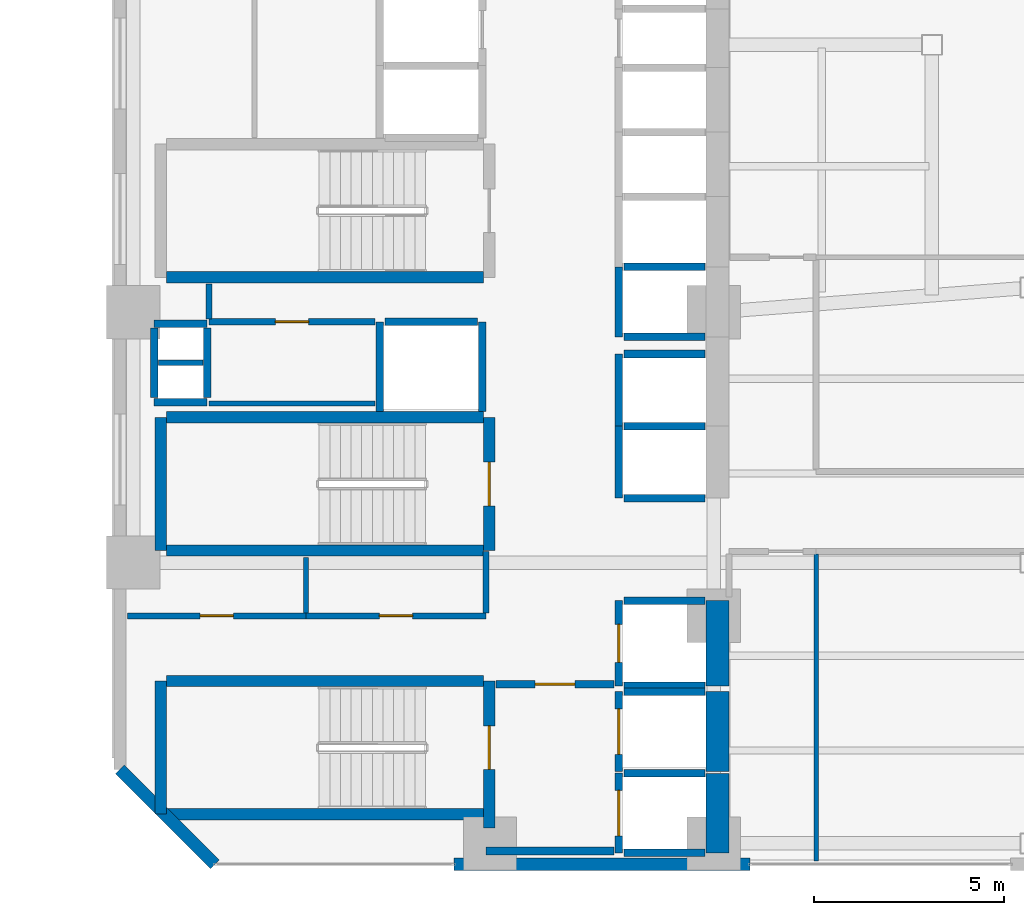
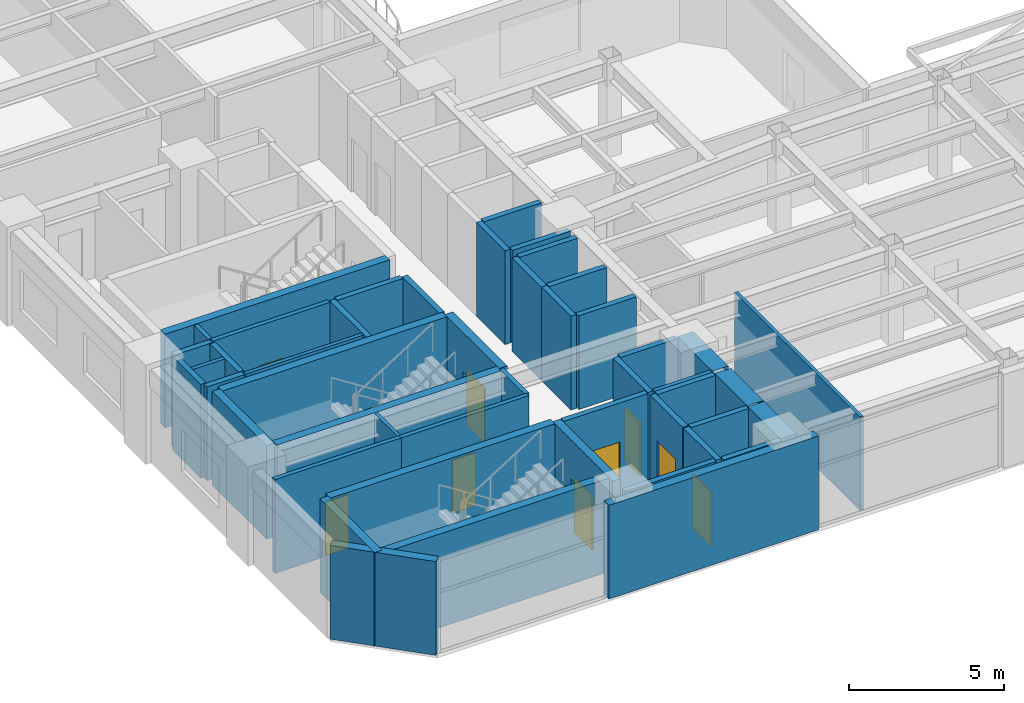
# One storey, part 9 of 17: 48 walls, 9 doors, 9 openings.
"""IFC4 building model written with IfcOpenShell, lengths in metres."""

from ifc_helpers import new_model, si_unit, direction, frame, frame_2d, origin, place, context, subcontext, project, spatial, rectangle, extrude, material, layer, layer_set, type_object, element, fill, save


model = new_model("IFC4")

# Units and contexts
model_context = context("Model", 3, precision=1e-05, world=origin(), true_north=direction((0.0, 1.0)))
body_context = subcontext(model_context, "Body", "Model", "MODEL_VIEW")
ifc_project = project(units=[si_unit("LENGTHUNIT", "METRE"), si_unit("AREAUNIT", "SQUARE_METRE"), si_unit("VOLUMEUNIT", "CUBIC_METRE"), si_unit("PLANEANGLEUNIT", "RADIAN"), si_unit("MASSUNIT", "GRAM", prefix="KILO")], contexts=[model_context])

# Site, building, storey
site_placement = place(None, origin())
site = spatial("IfcSite", under=ifc_project, at=site_placement, CompositionType="ELEMENT")
building_placement = place(site_placement, origin())
building = spatial("IfcBuilding", under=site, at=building_placement, Name="Mawjaban Terraces University", CompositionType="ELEMENT")
storey_placement = place(building_placement, frame((0.0, 0.0, 70.0)))
storey = spatial("IfcBuildingStorey", under=building, at=storey_placement, Name="L16", CompositionType="ELEMENT", Elevation=70.0)

# Walls
ifc_material_1 = material(Name="Concrete C70/85", Category="concrete")
ifc_layer_1 = layer(ifc_material_1, 0.60009765625)
ifc_layer_set_1 = layer_set([ifc_layer_1], Name="Concrete C70/85")
wall_type_1 = type_object("IfcWallType", Name="CoreShearWall_600", PredefinedType="SHEAR", material=ifc_layer_set_1)
wall_1_placement = place(storey_placement, frame((37.75, 0.300048828125, 0.0), z_axis=(0.0, 0.0, 1.0), x_axis=(0.0, 1.0, 0.0)))
element("IfcWall", 1, at=wall_1_placement, inside=storey, type_object=wall_type_1, Name="L16 Lift FL-1 Hoistway Wall East", PredefinedType="SHEAR", context=body_context, shape_type="SweptSolid", body=[
    extrude(rectangle(XDim=2.099853515625, YDim=0.60009765625, at=frame_2d((1.0498046875, 0.0))), origin(), (0.0, 0.0, 1.0), 3.68994140625),
])
wall_2_placement = place(storey_placement, frame((37.75, 2.449951171875, 0.0), z_axis=(0.0, 0.0, 1.0), x_axis=(0.0, 1.0, 0.0)))
element("IfcWall", 2, at=wall_2_placement, inside=storey, type_object=wall_type_1, Name="L16 Lift FL-2 Hoistway Wall East", PredefinedType="SHEAR", context=body_context, shape_type="SweptSolid", body=[
    extrude(rectangle(XDim=2.10009765625, YDim=0.60009765625, at=frame_2d((1.050048828125, 0.0))), origin(), (0.0, 0.0, 1.0), 3.68994140625),
])
wall_3_placement = place(storey_placement, frame((37.75, 4.699951171875, 0.0), z_axis=(0.0, 0.0, 1.0), x_axis=(0.0, 1.0, 0.0)))
element("IfcWall", 3, at=wall_3_placement, inside=storey, type_object=wall_type_1, Name="L16 Lift SL-1 Hoistway Wall East", PredefinedType="SHEAR", context=body_context, shape_type="SweptSolid", body=[
    extrude(rectangle(XDim=2.25, YDim=0.60009765625, at=frame_2d((1.125, 0.0))), origin(), (0.0, 0.0, 1.0), 3.68994140625),
])

# Wall, opening, door
ifc_material_2 = material(Name="Fire-rated gypsum board on steel stud", Category="steel")
ifc_layer_2 = layer(ifc_material_2, 0.159912109375)
ifc_layer_set_2 = layer_set([ifc_layer_2], Name="Fire-rated gypsum board on steel stud")
wall_type_2 = type_object("IfcWallType", Name="CorridorPartition_160", PredefinedType="PARTITIONING", material=ifc_layer_set_2)
wall_4_placement = place(storey_placement, frame((24.35009765625, 14.300048828125, 0.0), z_axis=(0.0, 0.0, 1.0), x_axis=(1.0, 0.0, 0.0)))
wall_4 = element("IfcWall", 4, at=wall_4_placement, inside=storey, type_object=wall_type_2, Name="L16 Core Riser Access Passage Partition 2", PredefinedType="PARTITIONING", context=body_context, shape_type="SweptSolid", body=[
    extrude(rectangle(XDim=4.369873046875, YDim=0.159912109375, at=frame_2d((2.18505859375, 0.0))), origin(), (0.0, 0.0, 1.0), 3.68994140625),
])
opening_1_placement = place(wall_4_placement, frame((1.7451171875, 0.0, 0.0)))
opening_1 = element("IfcOpeningElement", 5, at=opening_1_placement, cuts=wall_4, Name="Opening ID-088", PredefinedType="OPENING", context=body_context, shape_type="SweptSolid", body=[
    extrude(rectangle(XDim=0.8798828125, YDim=2.10009765625, at=frame_2d((0.43994140625, 1.050048828125))), frame((0.0, 0.08984375, 0.0), z_axis=(0.0, -1.0, 0.0), x_axis=(1.0, 0.0, 0.0)), (0.0, 0.0, 1.0), 0.179931640625),
])
ifc_material_3 = material(Name="Powder-coated steel frame and solid acoustic timber leaf", Category="steel")
door_type_1 = type_object("IfcDoorType", Name="ToiletDoor_880x2100", OperationType="NOTDEFINED", PredefinedType="DOOR", material=ifc_material_3)
door_1_placement = place(opening_1_placement, origin())
door_1 = element("IfcDoor", 6, at=door_1_placement, inside=storey, type_object=door_type_1, Name="L16 Ablution Room Door", OperationType="SINGLE_SWING_LEFT", OverallHeight=2.10009765625, OverallWidth=0.8798828125, PredefinedType="DOOR", context=body_context, shape_type="SweptSolid", body=[
    extrude(rectangle(XDim=0.8798828125, YDim=2.10009765625, at=frame_2d((0.43994140625, 1.050048828125))), frame((0.0, 0.02490234375, 0.0), z_axis=(0.0, -1.0, 0.0), x_axis=(1.0, 0.0, 0.0)), (0.0, 0.0, 1.0), 0.050048828125),
])
fill(opening_1, door_1)

wall_5_placement = place(storey_placement, frame((26.89990234375, 6.550048828125, 0.0), z_axis=(0.0, 0.0, 1.0), x_axis=(-1.0, 0.0, 0.0)))
wall_5 = element("IfcWall", 7, at=wall_5_placement, inside=storey, type_object=wall_type_2, Name="L16 Core Washroom Lobby Partition 4", PredefinedType="PARTITIONING", context=body_context, shape_type="SweptSolid", body=[
    extrude(rectangle(XDim=4.699951171875, YDim=0.159912109375, at=frame_2d((2.35009765625, 0.0))), origin(), (0.0, 0.0, 1.0), 3.68994140625),
])
opening_2_placement = place(wall_5_placement, frame((1.909912109375, 0.0, 0.0)))
opening_2 = element("IfcOpeningElement", 8, at=opening_2_placement, cuts=wall_5, Name="Opening ID-088", PredefinedType="OPENING", context=body_context, shape_type="SweptSolid", body=[
    extrude(rectangle(XDim=0.8798828125, YDim=2.10009765625, at=frame_2d((0.43994140625, 1.050048828125))), frame((0.0, 0.08984375, 0.0), z_axis=(0.0, -1.0, 0.0), x_axis=(1.0, 0.0, 0.0)), (0.0, 0.0, 1.0), 0.179931640625),
])
door_2_placement = place(opening_2_placement, origin())
door_2 = element("IfcDoor", 9, at=door_2_placement, inside=storey, type_object=door_type_1, Name="L16 Male Toilet Door", OperationType="SINGLE_SWING_LEFT", OverallHeight=2.10009765625, OverallWidth=0.8798828125, PredefinedType="DOOR", context=body_context, shape_type="SweptSolid", body=[
    extrude(rectangle(XDim=0.8798828125, YDim=2.10009765625, at=frame_2d((0.43994140625, 1.050048828125))), frame((0.0, 0.02490234375, 0.0), z_axis=(0.0, -1.0, 0.0), x_axis=(1.0, 0.0, 0.0)), (0.0, 0.0, 1.0), 0.050048828125),
])
fill(opening_2, door_2)

wall_6_placement = place(storey_placement, frame((31.64990234375, 6.550048828125, 0.0), z_axis=(0.0, 0.0, 1.0), x_axis=(-1.0, 0.0, 0.0)))
wall_6 = element("IfcWall", 10, at=wall_6_placement, inside=storey, type_object=wall_type_2, Name="L16 Core Washroom Lobby Partition 9", PredefinedType="PARTITIONING", context=body_context, shape_type="SweptSolid", body=[
    extrude(rectangle(XDim=4.75, YDim=0.159912109375, at=frame_2d((2.375, 0.0))), origin(), (0.0, 0.0, 1.0), 3.68994140625),
])
opening_3_placement = place(wall_6_placement, frame((1.93505859375, 0.0, 0.0)))
opening_3 = element("IfcOpeningElement", 11, at=opening_3_placement, cuts=wall_6, Name="Opening ID-088", PredefinedType="OPENING", context=body_context, shape_type="SweptSolid", body=[
    extrude(rectangle(XDim=0.8798828125, YDim=2.10009765625, at=frame_2d((0.43994140625, 1.050048828125))), frame((0.0, 0.08984375, 0.0), z_axis=(0.0, -1.0, 0.0), x_axis=(1.0, 0.0, 0.0)), (0.0, 0.0, 1.0), 0.179931640625),
])
door_3_placement = place(opening_3_placement, origin())
door_3 = element("IfcDoor", 12, at=door_3_placement, inside=storey, type_object=door_type_1, Name="L16 Accessible Toilet Door", OperationType="SINGLE_SWING_RIGHT", OverallHeight=2.10009765625, OverallWidth=0.8798828125, PredefinedType="DOOR", context=body_context, shape_type="SweptSolid", body=[
    extrude(rectangle(XDim=0.8798828125, YDim=2.10009765625, at=frame_2d((0.43994140625, 1.050048828125))), frame((0.0, 0.02490234375, 0.0), z_axis=(0.0, -1.0, 0.0), x_axis=(1.0, 0.0, 0.0)), (0.0, 0.0, 1.0), 0.050048828125),
])
fill(opening_3, door_3)

# Walls
wall_7_placement = place(storey_placement, frame((24.35009765625, 15.2900390625, 0.0), z_axis=(0.0, 0.0, 1.0), x_axis=(0.0, -1.0, 0.0)))
element("IfcWall", 13, at=wall_7_placement, inside=storey, type_object=wall_type_2, Name="L16 Core Riser Access Passage Partition 22", PredefinedType="PARTITIONING", context=body_context, shape_type="SweptSolid", body=[
    extrude(rectangle(XDim=0.9150390625, YDim=0.159912109375, at=frame_2d((0.45751953125, 0.0))), origin(), (0.0, 0.0, 1.0), 3.68994140625),
])
wall_8_placement = place(storey_placement, frame((31.64990234375, 8.239990234375, 0.0), z_axis=(0.0, 0.0, 1.0), x_axis=(0.0, -1.0, 0.0)))
element("IfcWall", 14, at=wall_8_placement, inside=storey, type_object=wall_type_2, Name="L16 Passenger Lift Lobby Partition 28", PredefinedType="PARTITIONING", context=body_context, shape_type="SweptSolid", body=[
    extrude(rectangle(XDim=1.614990234375, YDim=0.159912109375, at=frame_2d((0.8076171875, 0.0))), origin(), (0.0, 0.0, 1.0), 3.68994140625),
])
ifc_material_4 = material(Name="Insulated terracotta rainscreen on concrete backup C40/50", Category="masonry")
ifc_layer_3 = layer(ifc_material_4, 0.320068359375)
ifc_layer_set_3 = layer_set([ifc_layer_3], Name="Insulated terracotta rainscreen on concrete backup C40/50")
wall_type_3 = type_object("IfcWallType", Name="ExtTerracottaWall_320", PredefinedType="SOLIDWALL", material=ifc_layer_set_3)
wall_9_placement = place(storey_placement, frame((30.800048828125, 0.0, 0.0), z_axis=(0.0, 0.0, 1.0), x_axis=(1.0, 0.0, 0.0)))
element("IfcWall", 15, at=wall_9_placement, inside=storey, type_object=wall_type_3, Name="L16 Exterior Terracotta Pier Wall 1.1", PredefinedType="SOLIDWALL", context=body_context, shape_type="SweptSolid", body=[
    extrude(rectangle(XDim=7.800048828125, YDim=0.320068359375, at=frame_2d((3.89990234375, 0.0))), origin(), (0.0, 0.0, 1.0), 3.68994140625),
])
wall_10_placement = place(storey_placement, frame((22.0, 2.5, 0.0), z_axis=(0.0, 0.0, 1.0), x_axis=(0.707106781187, -0.707106781187, 0.0)))
element("IfcWall", 16, at=wall_10_placement, inside=storey, type_object=wall_type_3, Name="L16 Exterior Terracotta Wall 14", PredefinedType="SOLIDWALL", context=body_context, shape_type="SweptSolid", body=[
    extrude(rectangle(XDim=3.53564453125, YDim=0.320068359375, at=frame_2d((1.767822265625, 0.0))), origin(), (0.0, 0.0, 1.0), 3.68994140625),
])

# Wall, opening, door
ifc_material_5 = material(Name="Concrete C40/50", Category="concrete")
ifc_layer_4 = layer(ifc_material_5, 0.199951171875)
ifc_layer_set_4 = layer_set([ifc_layer_4], Name="Concrete C40/50")
wall_type_4 = type_object("IfcWallType", Name="FireLobbyWall_200", PredefinedType="SOLIDWALL", material=ifc_layer_set_4)
wall_11_placement = place(storey_placement, frame((35.14990234375, 2.39990234375, 0.0), z_axis=(0.0, 0.0, 1.0), x_axis=(0.0, -1.0, 0.0)))
wall_11 = element("IfcWall", 17, at=wall_11_placement, inside=storey, type_object=wall_type_4, Name="L16 Lift FL-1 Hoistway Wall West", PredefinedType="SOLIDWALL", context=body_context, shape_type="SweptSolid", body=[
    extrude(rectangle(XDim=2.099853515625, YDim=0.199951171875, at=frame_2d((1.0498046875, 0.0))), origin(), (0.0, 0.0, 1.0), 3.68994140625),
])
opening_4_placement = place(wall_11_placement, frame((0.449951171875, 0.0, 0.0)))
opening_4 = element("IfcOpeningElement", 18, at=opening_4_placement, cuts=wall_11, Name="Opening LD-FL-1", PredefinedType="OPENING", context=body_context, shape_type="SweptSolid", body=[
    extrude(rectangle(XDim=1.199951171875, YDim=2.14990234375, at=frame_2d((0.60009765625, 1.074951171875))), frame((0.0, 0.10986328125, 0.0), z_axis=(0.0, -1.0, 0.0), x_axis=(1.0, 0.0, 0.0)), (0.0, 0.0, 1.0), 0.219970703125),
])
ifc_material_6 = material(Name="Powder-coated steel frame and fire-rated steel-faced leaf", Category="steel")
door_type_2 = type_object("IfcDoorType", Name="LiftLandingFSAE_1200x2150", OperationType="NOTDEFINED", PredefinedType="DOOR", material=ifc_material_6)
door_4_placement = place(opening_4_placement, origin())
door_4 = element("IfcDoor", 19, at=door_4_placement, inside=storey, type_object=door_type_2, Name="L16 Lift FL-1 Sliding Landing Door", OperationType="DOUBLE_DOOR_SLIDING", OverallHeight=2.14990234375, OverallWidth=1.199951171875, PredefinedType="DOOR", context=body_context, shape_type="SweptSolid", body=[
    extrude(rectangle(XDim=1.199951171875, YDim=2.14990234375, at=frame_2d((0.60009765625, 1.074951171875))), frame((0.0, 0.02490234375, 0.0), z_axis=(0.0, -1.0, 0.0), x_axis=(1.0, 0.0, 0.0)), (0.0, 0.0, 1.0), 0.050048828125),
])
fill(opening_4, door_4)

# Walls
for number, where, z_axis, x_axis, name in (
    (20, (35.280029296875, 0.300048828125, 0.0), (0.0, 0.0, 1.0), (1.0, 0.0, 0.0), "L16 Lift FL-1 Hoistway Wall South"),
    (21, (37.419921875, 2.39990234375, 0.0), (0.0, 0.0, 1.0), (-1.0, 0.0, 0.0), "L16 Lift FL-1 Hoistway Wall North"),
):
    element("IfcWall", number, at=place(storey_placement, frame(where, z_axis=z_axis, x_axis=x_axis)), inside=storey, type_object=wall_type_4, Name=name, PredefinedType="SOLIDWALL", context=body_context, shape_type="SweptSolid", body=[
        extrude(rectangle(XDim=2.139892578125, YDim=0.199951171875, at=frame_2d((1.06982421875, 0.0))), origin(), (0.0, 0.0, 1.0), 3.68994140625),
    ])

# Wall, opening, door
wall_12_placement = place(storey_placement, frame((35.14990234375, 4.550048828125, 0.0), z_axis=(0.0, 0.0, 1.0), x_axis=(0.0, -1.0, 0.0)))
wall_12 = element("IfcWall", 22, at=wall_12_placement, inside=storey, type_object=wall_type_4, Name="L16 Lift FL-2 Hoistway Wall West", PredefinedType="SOLIDWALL", context=body_context, shape_type="SweptSolid", body=[
    extrude(rectangle(XDim=2.10009765625, YDim=0.199951171875, at=frame_2d((1.050048828125, 0.0))), origin(), (0.0, 0.0, 1.0), 3.68994140625),
])
opening_5_placement = place(wall_12_placement, frame((0.449951171875, 0.0, 0.0)))
opening_5 = element("IfcOpeningElement", 23, at=opening_5_placement, cuts=wall_12, Name="Opening LD-FL-2", PredefinedType="OPENING", context=body_context, shape_type="SweptSolid", body=[
    extrude(rectangle(XDim=1.199951171875, YDim=2.14990234375, at=frame_2d((0.60009765625, 1.074951171875))), frame((0.0, 0.10986328125, 0.0), z_axis=(0.0, -1.0, 0.0), x_axis=(1.0, 0.0, 0.0)), (0.0, 0.0, 1.0), 0.219970703125),
])
door_5_placement = place(opening_5_placement, origin())
door_5 = element("IfcDoor", 24, at=door_5_placement, inside=storey, type_object=door_type_2, Name="L16 Lift FL-2 Sliding Landing Door", OperationType="DOUBLE_DOOR_SLIDING", OverallHeight=2.14990234375, OverallWidth=1.199951171875, PredefinedType="DOOR", context=body_context, shape_type="SweptSolid", body=[
    extrude(rectangle(XDim=1.199951171875, YDim=2.14990234375, at=frame_2d((0.60009765625, 1.074951171875))), frame((0.0, 0.02490234375, 0.0), z_axis=(0.0, -1.0, 0.0), x_axis=(1.0, 0.0, 0.0)), (0.0, 0.0, 1.0), 0.050048828125),
])
fill(opening_5, door_5)

# Wall
wall_13_placement = place(storey_placement, frame((37.419921875, 4.550048828125, 0.0), z_axis=(0.0, 0.0, 1.0), x_axis=(-1.0, 0.0, 0.0)))
element("IfcWall", 25, at=wall_13_placement, inside=storey, type_object=wall_type_4, Name="L16 Lift FL-2 Hoistway Wall North", PredefinedType="SOLIDWALL", context=body_context, shape_type="SweptSolid", body=[
    extrude(rectangle(XDim=2.139892578125, YDim=0.199951171875, at=frame_2d((1.06982421875, 0.0))), origin(), (0.0, 0.0, 1.0), 3.68994140625),
])

# Wall, opening, door
wall_14_placement = place(storey_placement, frame((35.14990234375, 6.949951171875, 0.0), z_axis=(0.0, 0.0, 1.0), x_axis=(0.0, -1.0, 0.0)))
wall_14 = element("IfcWall", 26, at=wall_14_placement, inside=storey, type_object=wall_type_4, Name="L16 Lift SL-1 Hoistway Wall West", PredefinedType="SOLIDWALL", context=body_context, shape_type="SweptSolid", body=[
    extrude(rectangle(XDim=2.25, YDim=0.199951171875, at=frame_2d((1.125, 0.0))), origin(), (0.0, 0.0, 1.0), 3.68994140625),
])
opening_6_placement = place(wall_14_placement, frame((0.625, 0.0, 0.0)))
opening_6 = element("IfcOpeningElement", 27, at=opening_6_placement, cuts=wall_14, Name="Opening LD-SL-1", PredefinedType="OPENING", context=body_context, shape_type="SweptSolid", body=[
    extrude(rectangle(XDim=1.0, YDim=2.10009765625, at=frame_2d((0.5, 1.050048828125))), frame((0.0, 0.10986328125, 0.0), z_axis=(0.0, -1.0, 0.0), x_axis=(1.0, 0.0, 0.0)), (0.0, 0.0, 1.0), 0.219970703125),
])
door_type_3 = type_object("IfcDoorType", Name="LiftLandingSliding_1000x2100", OperationType="NOTDEFINED", PredefinedType="DOOR", material=ifc_material_6)
door_6_placement = place(opening_6_placement, origin())
door_6 = element("IfcDoor", 28, at=door_6_placement, inside=storey, type_object=door_type_3, Name="L16 Lift SL-1 Sliding Landing Door", OperationType="DOUBLE_DOOR_SLIDING", OverallHeight=2.10009765625, OverallWidth=1.0, PredefinedType="DOOR", context=body_context, shape_type="SweptSolid", body=[
    extrude(rectangle(XDim=1.0, YDim=2.10009765625, at=frame_2d((0.5, 1.050048828125))), frame((0.0, 0.02490234375, 0.0), z_axis=(0.0, -1.0, 0.0), x_axis=(1.0, 0.0, 0.0)), (0.0, 0.0, 1.0), 0.050048828125),
])
fill(opening_6, door_6)

# Walls
for number, where, z_axis, x_axis, name in (
    (29, (35.280029296875, 4.699951171875, 0.0), (0.0, 0.0, 1.0), (1.0, 0.0, 0.0), "L16 Lift SL-1 Hoistway Wall South"),
    (30, (37.419921875, 6.949951171875, 0.0), (0.0, 0.0, 1.0), (-1.0, 0.0, 0.0), "L16 Lift SL-1 Hoistway Wall North"),
):
    element("IfcWall", number, at=place(storey_placement, frame(where, z_axis=z_axis, x_axis=x_axis)), inside=storey, type_object=wall_type_4, Name=name, PredefinedType="SOLIDWALL", context=body_context, shape_type="SweptSolid", body=[
        extrude(rectangle(XDim=2.139892578125, YDim=0.199951171875, at=frame_2d((1.06982421875, 0.0))), origin(), (0.0, 0.0, 1.0), 3.68994140625),
    ])
wall_15_placement = place(storey_placement, frame((35.14990234375, 11.550048828125, 0.0), z_axis=(0.0, 0.0, 1.0), x_axis=(0.0, -1.0, 0.0)))
element("IfcWall", 31, at=wall_15_placement, inside=storey, type_object=wall_type_4, Name="L16 Lift PL-H1 Hoistway Wall West", PredefinedType="SOLIDWALL", context=body_context, shape_type="SweptSolid", body=[
    extrude(rectangle(XDim=1.900146484375, YDim=0.199951171875, at=frame_2d((0.9501953125, 0.0))), origin(), (0.0, 0.0, 1.0), 3.68994140625),
])
for number, where, z_axis, x_axis, name in (
    (32, (35.280029296875, 9.64990234375, 0.0), (0.0, 0.0, 1.0), (1.0, 0.0, 0.0), "L16 Lift PL-H1 Hoistway Wall South"),
    (33, (37.419921875, 11.550048828125, 0.0), (0.0, 0.0, 1.0), (-1.0, 0.0, 0.0), "L16 Lift PL-H1 Hoistway Wall North"),
):
    element("IfcWall", number, at=place(storey_placement, frame(where, z_axis=z_axis, x_axis=x_axis)), inside=storey, type_object=wall_type_4, Name=name, PredefinedType="SOLIDWALL", context=body_context, shape_type="SweptSolid", body=[
        extrude(rectangle(XDim=2.139892578125, YDim=0.199951171875, at=frame_2d((1.06982421875, 0.0))), origin(), (0.0, 0.0, 1.0), 3.68994140625),
    ])
wall_16_placement = place(storey_placement, frame((35.14990234375, 13.449951171875, 0.0), z_axis=(0.0, 0.0, 1.0), x_axis=(0.0, -1.0, 0.0)))
element("IfcWall", 34, at=wall_16_placement, inside=storey, type_object=wall_type_4, Name="L16 Lift PL-H2 Hoistway Wall West", PredefinedType="SOLIDWALL", context=body_context, shape_type="SweptSolid", body=[
    extrude(rectangle(XDim=1.89990234375, YDim=0.199951171875, at=frame_2d((0.949951171875, 0.0))), origin(), (0.0, 0.0, 1.0), 3.68994140625),
])
wall_17_placement = place(storey_placement, frame((37.419921875, 13.449951171875, 0.0), z_axis=(0.0, 0.0, 1.0), x_axis=(-1.0, 0.0, 0.0)))
element("IfcWall", 35, at=wall_17_placement, inside=storey, type_object=wall_type_4, Name="L16 Lift PL-H2 Hoistway Wall North", PredefinedType="SOLIDWALL", context=body_context, shape_type="SweptSolid", body=[
    extrude(rectangle(XDim=2.139892578125, YDim=0.199951171875, at=frame_2d((1.06982421875, 0.0))), origin(), (0.0, 0.0, 1.0), 3.68994140625),
])
for number, where, z_axis, x_axis, name in (
    (36, (28.85009765625, 14.300048828125, 0.0), (0.0, 0.0, 1.0), (0.0, -1.0, 0.0), "L16 Lift PL-H3 Hoistway Wall West"),
    (37, (31.550048828125, 11.929931640625, 0.0), (0.0, 0.0, 1.0), (0.0, 1.0, 0.0), "L16 Lift PL-H3 Hoistway Wall East"),
):
    element("IfcWall", number, at=place(storey_placement, frame(where, z_axis=z_axis, x_axis=x_axis)), inside=storey, type_object=wall_type_4, Name=name, PredefinedType="SOLIDWALL", context=body_context, shape_type="SweptSolid", body=[
        extrude(rectangle(XDim=2.3701171875, YDim=0.199951171875, at=frame_2d((1.18505859375, 0.0))), origin(), (0.0, 0.0, 1.0), 3.68994140625),
    ])
wall_18_placement = place(storey_placement, frame((31.419921875, 14.300048828125, 0.0), z_axis=(0.0, 0.0, 1.0), x_axis=(-1.0, 0.0, 0.0)))
element("IfcWall", 38, at=wall_18_placement, inside=storey, type_object=wall_type_4, Name="L16 Lift PL-H3 Hoistway Wall North", PredefinedType="SOLIDWALL", context=body_context, shape_type="SweptSolid", body=[
    extrude(rectangle(XDim=2.43994140625, YDim=0.199951171875, at=frame_2d((1.219970703125, 0.0))), origin(), (0.0, 0.0, 1.0), 3.68994140625),
])
wall_19_placement = place(storey_placement, frame((35.14990234375, 15.75, 0.0), z_axis=(0.0, 0.0, 1.0), x_axis=(0.0, -1.0, 0.0)))
element("IfcWall", 39, at=wall_19_placement, inside=storey, type_object=wall_type_4, Name="L16 Lift OL-1 Hoistway Wall West", PredefinedType="SOLIDWALL", context=body_context, shape_type="SweptSolid", body=[
    extrude(rectangle(XDim=1.85009765625, YDim=0.199951171875, at=frame_2d((0.925048828125, 0.0))), origin(), (0.0, 0.0, 1.0), 3.68994140625),
])
for number, where, z_axis, x_axis, name in (
    (40, (35.280029296875, 13.89990234375, 0.0), (0.0, 0.0, 1.0), (1.0, 0.0, 0.0), "L16 Lift OL-1 Hoistway Wall South"),
    (41, (37.419921875, 15.75, 0.0), (0.0, 0.0, 1.0), (-1.0, 0.0, 0.0), "L16 Lift OL-1 Hoistway Wall North"),
):
    element("IfcWall", number, at=place(storey_placement, frame(where, z_axis=z_axis, x_axis=x_axis)), inside=storey, type_object=wall_type_4, Name=name, PredefinedType="SOLIDWALL", context=body_context, shape_type="SweptSolid", body=[
        extrude(rectangle(XDim=2.139892578125, YDim=0.199951171875, at=frame_2d((1.06982421875, 0.0))), origin(), (0.0, 0.0, 1.0), 3.68994140625),
    ])
for number, where, z_axis, x_axis, name in (
    (42, (22.89990234375, 14.25, 0.0), (0.0, 0.0, 1.0), (1.0, 0.0, 0.0), "L16 MEP Riser Shaft Wall N"),
    (43, (22.89990234375, 12.179931640625, 0.0), (0.0, 0.0, 1.0), (1.0, 0.0, 0.0), "L16 MEP Riser Shaft Wall S"),
):
    element("IfcWall", number, at=place(storey_placement, frame(where, z_axis=z_axis, x_axis=x_axis)), inside=storey, type_object=wall_type_4, Name=name, PredefinedType="SOLIDWALL", context=body_context, shape_type="SweptSolid", body=[
        extrude(rectangle(XDim=1.400146484375, YDim=0.199951171875, at=frame_2d((0.7001953125, 0.0))), origin(), (0.0, 0.0, 1.0), 3.68994140625),
    ])
for number, where, z_axis, x_axis, name in (
    (44, (24.300048828125, 12.300048828125, 0.0), (0.0, 0.0, 1.0), (0.0, 1.0, 0.0), "L16 MEP Riser Shaft Wall E"),
    (45, (22.89990234375, 12.300048828125, 0.0), (0.0, 0.0, 1.0), (0.0, 1.0, 0.0), "L16 MEP Riser Shaft Wall W"),
):
    element("IfcWall", number, at=place(storey_placement, frame(where, z_axis=z_axis, x_axis=x_axis)), inside=storey, type_object=wall_type_4, Name=name, PredefinedType="SOLIDWALL", context=body_context, shape_type="SweptSolid", body=[
        extrude(rectangle(XDim=1.829833984375, YDim=0.199951171875, at=frame_2d((0.9150390625, 0.0))), origin(), (0.0, 0.0, 1.0), 3.68994140625),
    ])
wall_20_placement = place(storey_placement, frame((31.64990234375, 0.35009765625, 0.0), z_axis=(0.0, 0.0, 1.0), x_axis=(1.0, 0.0, 0.0)))
element("IfcWall", 46, at=wall_20_placement, inside=storey, type_object=wall_type_4, Name="L16 Firefighting Lift Lobby Partition 8", PredefinedType="SOLIDWALL", context=body_context, shape_type="SweptSolid", body=[
    extrude(rectangle(XDim=3.3701171875, YDim=0.199951171875, at=frame_2d((1.68505859375, 0.0))), origin(), (0.0, 0.0, 1.0), 3.68994140625),
])

# Wall, opening, door
wall_21_placement = place(storey_placement, frame((35.02001953125, 4.75, 0.0), z_axis=(0.0, 0.0, 1.0), x_axis=(-1.0, 0.0, 0.0)))
wall_21 = element("IfcWall", 47, at=wall_21_placement, inside=storey, type_object=wall_type_4, Name="L16 Firefighting Lift Lobby Partition 10", PredefinedType="SOLIDWALL", context=body_context, shape_type="SweptSolid", body=[
    extrude(rectangle(XDim=3.110107421875, YDim=0.199951171875, at=frame_2d((1.55517578125, 0.0))), origin(), (0.0, 0.0, 1.0), 3.68994140625),
])
opening_7_placement = place(wall_21_placement, frame((1.030029296875, 0.0, 0.0)))
opening_7 = element("IfcOpeningElement", 48, at=opening_7_placement, cuts=wall_21, Name="Opening FD-105", PredefinedType="OPENING", context=body_context, shape_type="SweptSolid", body=[
    extrude(rectangle(XDim=1.050048828125, YDim=2.14990234375, at=frame_2d((0.52490234375, 1.074951171875))), frame((0.0, 0.10986328125, 0.0), z_axis=(0.0, -1.0, 0.0), x_axis=(1.0, 0.0, 0.0)), (0.0, 0.0, 1.0), 0.219970703125),
])
door_type_4 = type_object("IfcDoorType", Name="FireLobbyDoor_1050x2150", OperationType="NOTDEFINED", PredefinedType="DOOR", material=ifc_material_6)
door_7_placement = place(opening_7_placement, origin())
door_7 = element("IfcDoor", 49, at=door_7_placement, inside=storey, type_object=door_type_4, Name="L16 Firefighting Lift Lobby Door", OperationType="SINGLE_SWING_RIGHT", OverallHeight=2.14990234375, OverallWidth=1.050048828125, PredefinedType="DOOR", context=body_context, shape_type="SweptSolid", body=[
    extrude(rectangle(XDim=1.050048828125, YDim=2.14990234375, at=frame_2d((0.52490234375, 1.074951171875))), frame((0.0, 0.02490234375, 0.0), z_axis=(0.0, -1.0, 0.0), x_axis=(1.0, 0.0, 0.0)), (0.0, 0.0, 1.0), 0.050048828125),
])
fill(opening_7, door_7)

# Walls
ifc_material_7 = material(Name="Moisture-resistant gypsum board on steel stud", Category="steel")
ifc_layer_5 = layer(ifc_material_7, 0.14501953125)
ifc_layer_set_5 = layer_set([ifc_layer_5], Name="Moisture-resistant gypsum board on steel stud")
wall_type_5 = type_object("IfcWallType", Name="LabPartition_145", PredefinedType="PARTITIONING", material=ifc_layer_set_5)
wall_22_placement = place(storey_placement, frame((23.010009765625, 13.22509765625, 0.0), z_axis=(0.0, 0.0, 1.0), x_axis=(1.0, 0.0, 0.0)))
element("IfcWall", 50, at=wall_22_placement, inside=storey, type_object=wall_type_5, Name="L16 MEP Riser Shaft Wall M", PredefinedType="PARTITIONING", context=body_context, shape_type="SweptSolid", body=[
    extrude(rectangle(XDim=1.179931640625, YDim=0.14501953125, at=frame_2d((0.58984375, 0.0))), origin(), (0.0, 0.0, 1.0), 3.68994140625),
])
ifc_material_8 = material(Name="Gypsum plasterboard on steel stud", Category="steel")
ifc_layer_6 = layer(ifc_material_8, 0.125)
ifc_layer_set_6 = layer_set([ifc_layer_6], Name="Gypsum plasterboard on steel stud")
wall_type_6 = type_object("IfcWallType", Name="OfficePartition_125", PredefinedType="PARTITIONING", material=ifc_layer_set_6)
wall_23_placement = place(storey_placement, frame((40.35009765625, 0.090087890625, 0.0), z_axis=(0.0, 0.0, 1.0), x_axis=(0.0, 1.0, 0.0)))
element("IfcWall", 51, at=wall_23_placement, inside=storey, type_object=wall_type_6, Name="L16 Collaborative Study Room 1 Partition 33", PredefinedType="PARTITIONING", context=body_context, shape_type="SweptSolid", body=[
    extrude(rectangle(XDim=8.0849609375, YDim=0.125, at=frame_2d((4.04248046875, 0.0))), origin(), (0.0, 0.0, 1.0), 3.68994140625),
])
ifc_material_9 = material(Name="Concrete C60/75", Category="concrete")
ifc_layer_7 = layer(ifc_material_9, 0.300048828125)
ifc_layer_set_7 = layer_set([ifc_layer_7], Name="Concrete C60/75")
wall_type_7 = type_object("IfcWallType", Name="StairShaftWall_300", PredefinedType="SHEAR", material=ifc_layer_set_7)
wall_24_placement = place(storey_placement, frame((31.580078125, 4.830078125, 0.0), z_axis=(0.0, 0.0, 1.0), x_axis=(-1.0, 0.0, 0.0)))
element("IfcWall", 52, at=wall_24_placement, inside=storey, type_object=wall_type_7, Name="L16 ST-1 Stair Shaft Wall 1", PredefinedType="SHEAR", context=body_context, shape_type="SweptSolid", body=[
    extrude(rectangle(XDim=8.360107421875, YDim=0.300048828125, at=frame_2d((4.18017578125, 0.0))), origin(), (0.0, 0.0, 1.0), 3.68994140625),
])
wall_25_placement = place(storey_placement, frame((23.070068359375, 4.830078125, 0.0), z_axis=(0.0, 0.0, 1.0), x_axis=(0.0, -1.0, 0.0)))
element("IfcWall", 53, at=wall_25_placement, inside=storey, type_object=wall_type_7, Name="L16 ST-1 Stair Shaft Wall 2", PredefinedType="SHEAR", context=body_context, shape_type="SweptSolid", body=[
    extrude(rectangle(XDim=3.510009765625, YDim=0.300048828125, at=frame_2d((1.7548828125, 0.0))), origin(), (0.0, 0.0, 1.0), 3.68994140625),
])
wall_26_placement = place(storey_placement, frame((23.219970703125, 1.320068359375, 0.0), z_axis=(0.0, 0.0, 1.0), x_axis=(1.0, 0.0, 0.0)))
element("IfcWall", 54, at=wall_26_placement, inside=storey, type_object=wall_type_7, Name="L16 ST-1 Stair Shaft Wall 3", PredefinedType="SHEAR", context=body_context, shape_type="SweptSolid", body=[
    extrude(rectangle(XDim=8.360107421875, YDim=0.300048828125, at=frame_2d((4.18017578125, 0.0))), origin(), (0.0, 0.0, 1.0), 3.68994140625),
])

# Wall, opening, door
wall_27_placement = place(storey_placement, frame((31.72998046875, 0.9599609375, 0.0), z_axis=(0.0, 0.0, 1.0), x_axis=(0.0, 1.0, 0.0)))
wall_27 = element("IfcWall", 55, at=wall_27_placement, inside=storey, type_object=wall_type_7, Name="L16 ST-1 Stair Shaft Wall 4", PredefinedType="SHEAR", context=body_context, shape_type="SweptSolid", body=[
    extrude(rectangle(XDim=3.8701171875, YDim=0.300048828125, at=frame_2d((1.93505859375, 0.0))), origin(), (0.0, 0.0, 1.0), 3.68994140625),
])
opening_8_placement = place(wall_27_placement, frame((1.5400390625, 0.0, 0.0)))
opening_8 = element("IfcOpeningElement", 56, at=opening_8_placement, cuts=wall_27, Name="Opening FD-115", PredefinedType="OPENING", context=body_context, shape_type="SweptSolid", body=[
    extrude(rectangle(XDim=1.14990234375, YDim=2.14990234375, at=frame_2d((0.574951171875, 1.074951171875))), frame((0.0, 0.159912109375, 0.0), z_axis=(0.0, -1.0, 0.0), x_axis=(1.0, 0.0, 0.0)), (0.0, 0.0, 1.0), 0.320068359375),
])
door_type_5 = type_object("IfcDoorType", Name="FireStairDoor_1150x2150", OperationType="NOTDEFINED", PredefinedType="DOOR", material=ifc_material_6)
door_8_placement = place(opening_8_placement, origin())
door_8 = element("IfcDoor", 57, at=door_8_placement, inside=storey, type_object=door_type_5, Name="L16 ST-1 Pressurised Stair Fire Door", OperationType="SINGLE_SWING_LEFT", OverallHeight=2.14990234375, OverallWidth=1.14990234375, PredefinedType="DOOR", context=body_context, shape_type="SweptSolid", body=[
    extrude(rectangle(XDim=1.14990234375, YDim=2.14990234375, at=frame_2d((0.574951171875, 1.074951171875))), frame((0.0, 0.02490234375, 0.0), z_axis=(0.0, -1.0, 0.0), x_axis=(1.0, 0.0, 0.0)), (0.0, 0.0, 1.0), 0.050048828125),
])
fill(opening_8, door_8)

# Walls
for number, where, z_axis, x_axis, name in (
    (58, (23.219970703125, 15.469970703125, 0.0), (0.0, 0.0, 1.0), (1.0, 0.0, 0.0), "L16 ST-2 Stair Shaft Wall 3"),
    (59, (31.580078125, 11.780029296875, 0.0), (0.0, 0.0, 1.0), (-1.0, 0.0, 0.0), "L16 ST-3 Stair Shaft Wall 1"),
):
    element("IfcWall", number, at=place(storey_placement, frame(where, z_axis=z_axis, x_axis=x_axis)), inside=storey, type_object=wall_type_7, Name=name, PredefinedType="SHEAR", context=body_context, shape_type="SweptSolid", body=[
        extrude(rectangle(XDim=8.360107421875, YDim=0.300048828125, at=frame_2d((4.18017578125, 0.0))), origin(), (0.0, 0.0, 1.0), 3.68994140625),
    ])
wall_28_placement = place(storey_placement, frame((23.070068359375, 11.780029296875, 0.0), z_axis=(0.0, 0.0, 1.0), x_axis=(0.0, -1.0, 0.0)))
element("IfcWall", 60, at=wall_28_placement, inside=storey, type_object=wall_type_7, Name="L16 ST-3 Stair Shaft Wall 2", PredefinedType="SHEAR", context=body_context, shape_type="SweptSolid", body=[
    extrude(rectangle(XDim=3.510009765625, YDim=0.300048828125, at=frame_2d((1.7548828125, 0.0))), origin(), (0.0, 0.0, 1.0), 3.68994140625),
])
wall_29_placement = place(storey_placement, frame((23.219970703125, 8.27001953125, 0.0), z_axis=(0.0, 0.0, 1.0), x_axis=(1.0, 0.0, 0.0)))
element("IfcWall", 61, at=wall_29_placement, inside=storey, type_object=wall_type_7, Name="L16 ST-3 Stair Shaft Wall 3", PredefinedType="SHEAR", context=body_context, shape_type="SweptSolid", body=[
    extrude(rectangle(XDim=8.360107421875, YDim=0.300048828125, at=frame_2d((4.18017578125, 0.0))), origin(), (0.0, 0.0, 1.0), 3.68994140625),
])

# Wall, opening, door
wall_30_placement = place(storey_placement, frame((31.72998046875, 8.27001953125, 0.0), z_axis=(0.0, 0.0, 1.0), x_axis=(0.0, 1.0, 0.0)))
wall_30 = element("IfcWall", 62, at=wall_30_placement, inside=storey, type_object=wall_type_7, Name="L16 ST-3 Stair Shaft Wall 4", PredefinedType="SHEAR", context=body_context, shape_type="SweptSolid", body=[
    extrude(rectangle(XDim=3.510009765625, YDim=0.300048828125, at=frame_2d((1.7548828125, 0.0))), origin(), (0.0, 0.0, 1.0), 3.68994140625),
])
opening_9_placement = place(wall_30_placement, frame((1.179931640625, 0.0, 0.0)))
opening_9 = element("IfcOpeningElement", 63, at=opening_9_placement, cuts=wall_30, Name="Opening FD-115", PredefinedType="OPENING", context=body_context, shape_type="SweptSolid", body=[
    extrude(rectangle(XDim=1.14990234375, YDim=2.14990234375, at=frame_2d((0.574951171875, 1.074951171875))), frame((0.0, 0.159912109375, 0.0), z_axis=(0.0, -1.0, 0.0), x_axis=(1.0, 0.0, 0.0)), (0.0, 0.0, 1.0), 0.320068359375),
])
door_9_placement = place(opening_9_placement, origin())
door_9 = element("IfcDoor", 64, at=door_9_placement, inside=storey, type_object=door_type_5, Name="L16 ST-3 Pressurised Stair Fire Door", OperationType="SINGLE_SWING_LEFT", OverallHeight=2.14990234375, OverallWidth=1.14990234375, PredefinedType="DOOR", context=body_context, shape_type="SweptSolid", body=[
    extrude(rectangle(XDim=1.14990234375, YDim=2.14990234375, at=frame_2d((0.574951171875, 1.074951171875))), frame((0.0, 0.02490234375, 0.0), z_axis=(0.0, -1.0, 0.0), x_axis=(1.0, 0.0, 0.0)), (0.0, 0.0, 1.0), 0.050048828125),
])
fill(opening_9, door_9)

# Walls
ifc_material_10 = material(Name="Cement-board wet-room partition", Category="masonry")
ifc_layer_8 = layer(ifc_material_10, 0.135009765625)
ifc_layer_set_8 = layer_set([ifc_layer_8], Name="Cement-board wet-room partition")
wall_type_8 = type_object("IfcWallType", Name="WetRoomPartition_135", PredefinedType="PARTITIONING", material=ifc_layer_set_8)
wall_31_placement = place(storey_placement, frame((24.35009765625, 12.14990234375, 0.0), z_axis=(0.0, 0.0, 1.0), x_axis=(1.0, 0.0, 0.0)))
element("IfcWall", 65, at=wall_31_placement, inside=storey, type_object=wall_type_8, Name="L16 Ablution Room Partition 1", PredefinedType="PARTITIONING", context=body_context, shape_type="SweptSolid", body=[
    extrude(rectangle(XDim=4.369873046875, YDim=0.135009765625, at=frame_2d((2.18505859375, 0.0))), origin(), (0.0, 0.0, 1.0), 3.68994140625),
])
wall_32_placement = place(storey_placement, frame((26.89990234375, 6.625, 0.0), z_axis=(0.0, 0.0, 1.0), x_axis=(0.0, 1.0, 0.0)))
element("IfcWall", 66, at=wall_32_placement, inside=storey, type_object=wall_type_8, Name="L16 Male Toilet Partition 24", PredefinedType="PARTITIONING", context=body_context, shape_type="SweptSolid", body=[
    extrude(rectangle(XDim=1.465087890625, YDim=0.135009765625, at=frame_2d((0.732421875, 0.0))), origin(), (0.0, 0.0, 1.0), 3.68994140625),
])

save(model, "model.ifc")
